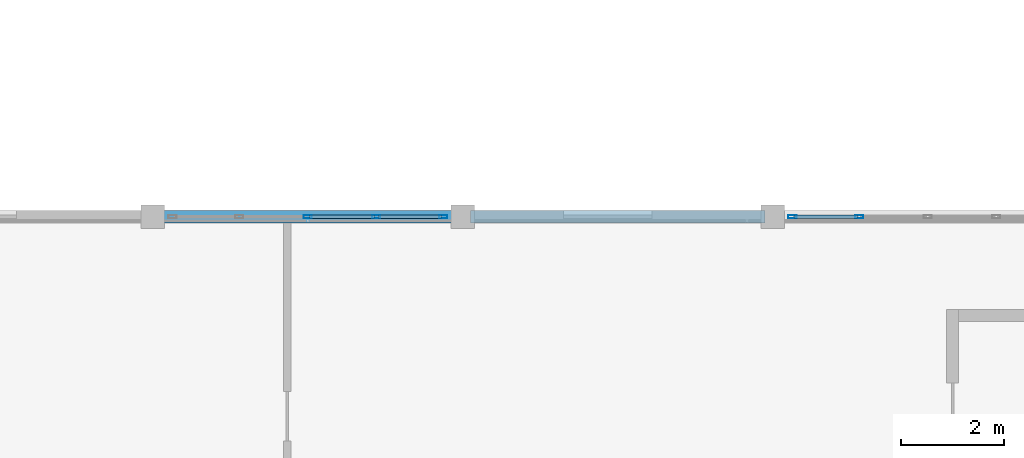
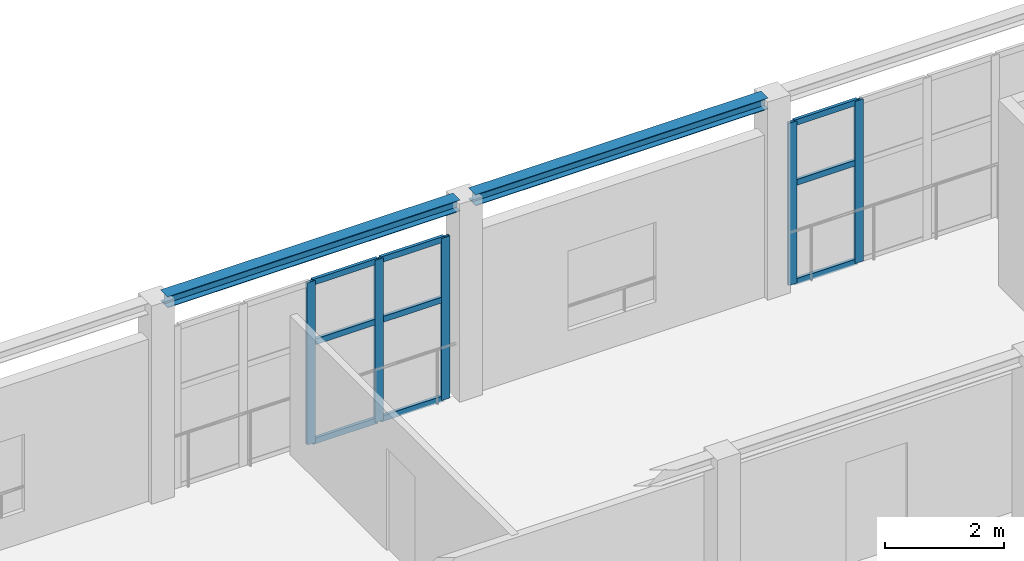
# One storey, part 51 of 128: 14 members, 2 beams, 2 elements without a shape of their own.
"""IFC4 building model written with IfcOpenShell, lengths in metres."""

from ifc_helpers import new_model, si_unit, direction, frame, origin, origin_2d, place, context, subcontext, project, spatial, hollow_rectangle, i_section, extrude, material, material_profile, profile_set, type_object, element, aggregate, save


model = new_model("IFC4")

# Units and contexts
model_context = context("Model", 3, precision=1e-05, world=origin(), true_north=direction((0.0, 1.0)))
body_context = subcontext(model_context, "Body", "Model", "MODEL_VIEW")
ifc_project = project(units=[si_unit("LENGTHUNIT", "METRE"), si_unit("AREAUNIT", "SQUARE_METRE"), si_unit("VOLUMEUNIT", "CUBIC_METRE"), si_unit("PLANEANGLEUNIT", "RADIAN"), si_unit("MASSUNIT", "GRAM", prefix="KILO")], contexts=[model_context])

# Site, building, storey
site_placement = place(None, origin())
site = spatial("IfcSite", under=ifc_project, at=site_placement, CompositionType="ELEMENT")
building_placement = place(site_placement, origin())
building = spatial("IfcBuilding", under=site, at=building_placement, Name="Tanwirah Colonnade Gardens", CompositionType="ELEMENT")
storey_placement = place(building_placement, frame((0.0, 0.0, 4.760009765625)))
storey = spatial("IfcBuildingStorey", under=building, at=storey_placement, Name="L01", CompositionType="ELEMENT", Elevation=4.760009765625)

# Curtain wall, members
ifc_material_1 = material(Name="Bronze-anodised aluminium and solar-control low-E glass", Category="aluminium")
curtain_wall_type = type_object("IfcCurtainWallType", Name="CW-NUR", PredefinedType="NOTDEFINED", material=ifc_material_1)
curtain_wall_1_placement = place(storey_placement, origin())
curtain_wall_1 = element("IfcCurtainWall", 1, at=curtain_wall_1_placement, inside=storey, type_object=curtain_wall_type, Name="Curtain Wall CW-NUR-L01-N-1", PredefinedType="NOTDEFINED")
ifc_material_2 = material(Name="Bronze-anodised aluminium", Category="aluminium")
ifc_material_profile_1 = material_profile(ifc_material_2, hollow_rectangle(XDim=0.06005859375, YDim=0.159912109375, WallThickness=0.00390625, at=origin_2d()), Name="CW-MUL 60x160x4")
ifc_profile_set_1 = profile_set([ifc_material_profile_1], Name="Bronze-anodised aluminium")
member_type_1 = type_object("IfcMemberType", Name="CWM-60x160", PredefinedType="MULLION", material=ifc_profile_set_1)
member_1_placement = place(storey_placement, frame((87.0, 109.39990234375, 0.0), z_axis=(0.0, 0.0, 1.0), x_axis=(0.0, 1.0, 0.0)))
member_1 = element("IfcMember", 2, at=member_1_placement, type_object=member_type_1, Name="CW-NUR mullion 3", PredefinedType="MULLION", context=body_context, shape_type="SweptSolid", body=[
    extrude(hollow_rectangle(XDim=0.06005859375, YDim=0.159912109375, WallThickness=0.00390625, at=origin_2d()), origin(), (0.0, 0.0, 1.0), 3.340087890625),
])
member_2_placement = place(storey_placement, frame((88.324951171875, 109.39990234375, 0.0), z_axis=(0.0, 0.0, 1.0), x_axis=(0.0, 1.0, 0.0)))
member_2 = element("IfcMember", 3, at=member_2_placement, type_object=member_type_1, Name="CW-NUR mullion 4", PredefinedType="MULLION", context=body_context, shape_type="SweptSolid", body=[
    extrude(hollow_rectangle(XDim=0.06005859375, YDim=0.159912109375, WallThickness=0.00390625, at=origin_2d()), origin(), (0.0, 0.0, 1.0), 3.340087890625),
])
member_3_placement = place(storey_placement, frame((89.6201171875, 109.39990234375, 0.0), z_axis=(0.0, 0.0, 1.0), x_axis=(0.0, 1.0, 0.0)))
member_3 = element("IfcMember", 4, at=member_3_placement, type_object=member_type_1, Name="CW-NUR mullion 5", PredefinedType="MULLION", context=body_context, shape_type="SweptSolid", body=[
    extrude(hollow_rectangle(XDim=0.06005859375, YDim=0.159912109375, WallThickness=0.00390625, at=origin_2d()), origin(), (0.0, 0.0, 1.0), 3.340087890625),
])

curtain_wall_2_placement = place(storey_placement, origin())
curtain_wall_2 = element("IfcCurtainWall", 5, at=curtain_wall_2_placement, inside=storey, type_object=curtain_wall_type, Name="Curtain Wall CW-NUR-L01-N-3", PredefinedType="NOTDEFINED")
member_4_placement = place(storey_placement, frame((96.3798828125, 109.39990234375, 0.0), z_axis=(0.0, 0.0, 1.0), x_axis=(0.0, 1.0, 0.0)))
member_4 = element("IfcMember", 6, at=member_4_placement, type_object=member_type_1, Name="CW-NUR mullion 1", PredefinedType="MULLION", context=body_context, shape_type="SweptSolid", body=[
    extrude(hollow_rectangle(XDim=0.06005859375, YDim=0.159912109375, WallThickness=0.00390625, at=origin_2d()), origin(), (0.0, 0.0, 1.0), 3.340087890625),
])
member_5_placement = place(storey_placement, frame((97.675048828125, 109.39990234375, 0.0), z_axis=(0.0, 0.0, 1.0), x_axis=(0.0, 1.0, 0.0)))
member_5 = element("IfcMember", 7, at=member_5_placement, type_object=member_type_1, Name="CW-NUR mullion 2", PredefinedType="MULLION", context=body_context, shape_type="SweptSolid", body=[
    extrude(hollow_rectangle(XDim=0.06005859375, YDim=0.159912109375, WallThickness=0.00390625, at=origin_2d()), origin(), (0.0, 0.0, 1.0), 3.340087890625),
])

# Member
ifc_material_profile_2 = material_profile(ifc_material_2, hollow_rectangle(XDim=0.06005859375, YDim=0.1201171875, WallThickness=0.00390625, at=origin_2d()), Name="CW-TRN 60x120x4")
ifc_profile_set_2 = profile_set([ifc_material_profile_2], Name="Bronze-anodised aluminium")
member_type_2 = type_object("IfcMemberType", Name="CWT-60x120", PredefinedType="USERDEFINED", material=ifc_profile_set_2)
member_6_placement = place(storey_placement, frame((87.030029296875, 109.39990234375, 0.030029296875), z_axis=(1.0, 0.0, 0.0), x_axis=(0.0, 1.0, 0.0)))
member_6 = element("IfcMember", 8, at=member_6_placement, type_object=member_type_2, Name="CW-NUR transom 3.1", ObjectType="TRANSOM", PredefinedType="USERDEFINED", context=body_context, shape_type="SweptSolid", body=[
    extrude(hollow_rectangle(XDim=0.06005859375, YDim=0.1201171875, WallThickness=0.00390625, at=origin_2d()), origin(), (0.0, 0.0, 1.0), 1.264892578125),
])

member_7_placement = place(storey_placement, frame((87.030029296875, 109.39990234375, 2.07080078125), z_axis=(1.0, 0.0, 0.0), x_axis=(0.0, 1.0, 0.0)))
member_7 = element("IfcMember", 9, at=member_7_placement, type_object=member_type_2, Name="CW-NUR transom 3.2", ObjectType="TRANSOM", PredefinedType="USERDEFINED", context=body_context, shape_type="SweptSolid", body=[
    extrude(hollow_rectangle(XDim=0.06005859375, YDim=0.1201171875, WallThickness=0.00390625, at=origin_2d()), origin(), (0.0, 0.0, 1.0), 1.264892578125),
])

member_8_placement = place(storey_placement, frame((87.030029296875, 109.39990234375, 3.31005859375), z_axis=(1.0, 0.0, 0.0), x_axis=(0.0, 1.0, 0.0)))
member_8 = element("IfcMember", 10, at=member_8_placement, type_object=member_type_2, Name="CW-NUR transom 3.3", ObjectType="TRANSOM", PredefinedType="USERDEFINED", context=body_context, shape_type="SweptSolid", body=[
    extrude(hollow_rectangle(XDim=0.06005859375, YDim=0.1201171875, WallThickness=0.00390625, at=origin_2d()), origin(), (0.0, 0.0, 1.0), 1.264892578125),
])

member_9_placement = place(storey_placement, frame((88.35498046875, 109.39990234375, 0.030029296875), z_axis=(1.0, 0.0, 0.0), x_axis=(0.0, 1.0, 0.0)))
member_9 = element("IfcMember", 11, at=member_9_placement, type_object=member_type_2, Name="CW-NUR transom 4.1", ObjectType="TRANSOM", PredefinedType="USERDEFINED", context=body_context, shape_type="SweptSolid", body=[
    extrude(hollow_rectangle(XDim=0.06005859375, YDim=0.1201171875, WallThickness=0.00390625, at=origin_2d()), origin(), (0.0, 0.0, 1.0), 1.235107421875),
])

member_10_placement = place(storey_placement, frame((88.35498046875, 109.39990234375, 2.07080078125), z_axis=(1.0, 0.0, 0.0), x_axis=(0.0, 1.0, 0.0)))
member_10 = element("IfcMember", 12, at=member_10_placement, type_object=member_type_2, Name="CW-NUR transom 4.2", ObjectType="TRANSOM", PredefinedType="USERDEFINED", context=body_context, shape_type="SweptSolid", body=[
    extrude(hollow_rectangle(XDim=0.06005859375, YDim=0.1201171875, WallThickness=0.00390625, at=origin_2d()), origin(), (0.0, 0.0, 1.0), 1.235107421875),
])

member_11_placement = place(storey_placement, frame((88.35498046875, 109.39990234375, 3.31005859375), z_axis=(1.0, 0.0, 0.0), x_axis=(0.0, 1.0, 0.0)))
member_11 = element("IfcMember", 13, at=member_11_placement, type_object=member_type_2, Name="CW-NUR transom 4.3", ObjectType="TRANSOM", PredefinedType="USERDEFINED", context=body_context, shape_type="SweptSolid", body=[
    extrude(hollow_rectangle(XDim=0.06005859375, YDim=0.1201171875, WallThickness=0.00390625, at=origin_2d()), origin(), (0.0, 0.0, 1.0), 1.235107421875),
])

aggregate(curtain_wall_1, [member_1, member_2, member_3, member_6, member_7, member_8, member_9, member_10, member_11])

member_12_placement = place(storey_placement, frame((96.409912109375, 109.39990234375, 0.030029296875), z_axis=(1.0, 0.0, 0.0), x_axis=(0.0, 1.0, 0.0)))
member_12 = element("IfcMember", 14, at=member_12_placement, type_object=member_type_2, Name="CW-NUR transom 1.1", ObjectType="TRANSOM", PredefinedType="USERDEFINED", context=body_context, shape_type="SweptSolid", body=[
    extrude(hollow_rectangle(XDim=0.06005859375, YDim=0.1201171875, WallThickness=0.00390625, at=origin_2d()), origin(), (0.0, 0.0, 1.0), 1.235107421875),
])

member_13_placement = place(storey_placement, frame((96.409912109375, 109.39990234375, 2.07080078125), z_axis=(1.0, 0.0, 0.0), x_axis=(0.0, 1.0, 0.0)))
member_13 = element("IfcMember", 15, at=member_13_placement, type_object=member_type_2, Name="CW-NUR transom 1.2", ObjectType="TRANSOM", PredefinedType="USERDEFINED", context=body_context, shape_type="SweptSolid", body=[
    extrude(hollow_rectangle(XDim=0.06005859375, YDim=0.1201171875, WallThickness=0.00390625, at=origin_2d()), origin(), (0.0, 0.0, 1.0), 1.235107421875),
])

member_14_placement = place(storey_placement, frame((96.409912109375, 109.39990234375, 3.31005859375), z_axis=(1.0, 0.0, 0.0), x_axis=(0.0, 1.0, 0.0)))
member_14 = element("IfcMember", 16, at=member_14_placement, type_object=member_type_2, Name="CW-NUR transom 1.3", ObjectType="TRANSOM", PredefinedType="USERDEFINED", context=body_context, shape_type="SweptSolid", body=[
    extrude(hollow_rectangle(XDim=0.06005859375, YDim=0.1201171875, WallThickness=0.00390625, at=origin_2d()), origin(), (0.0, 0.0, 1.0), 1.235107421875),
])

aggregate(curtain_wall_2, [member_4, member_5, member_12, member_13, member_14])

# Beams
ifc_material_3 = material(Name="Steel S355", Category="steel")
ifc_material_profile_3 = material_profile(ifc_material_3, i_section(OverallWidth=0.239990234375, OverallDepth=0.22998046875, WebThickness=0.007568359375, FlangeThickness=0.011962890625, at=origin_2d()), Name="HEA 240")
ifc_profile_set_3 = profile_set([ifc_material_profile_3], Name="Steel S355")
beam_type = type_object("IfcBeamType", Name="SBM-HEA240", PredefinedType="BEAM", material=ifc_profile_set_3)
for number, where, z_axis, x_axis, name in (
    (17, (84.14990234375, 109.39990234375, 3.965087890625), (1.0, 0.0, 0.0), (0.0, 1.0, 0.0), "Nursery L01 Beam X-1.2"),
    (18, (90.14990234375, 109.39990234375, 3.965087890625), (1.0, 0.0, 0.0), (0.0, 1.0, 0.0), "Nursery L01 Beam X-2.2"),
):
    element("IfcBeam", number, at=place(storey_placement, frame(where, z_axis=z_axis, x_axis=x_axis)), inside=storey, type_object=beam_type, Name=name, PredefinedType="BEAM", context=body_context, shape_type="SweptSolid", body=[
        extrude(i_section(OverallWidth=0.239990234375, OverallDepth=0.22998046875, WebThickness=0.007568359375, FlangeThickness=0.011962890625, at=origin_2d()), origin(), (0.0, 0.0, 1.0), 5.7001953125),
    ])

save(model, "model.ifc")
